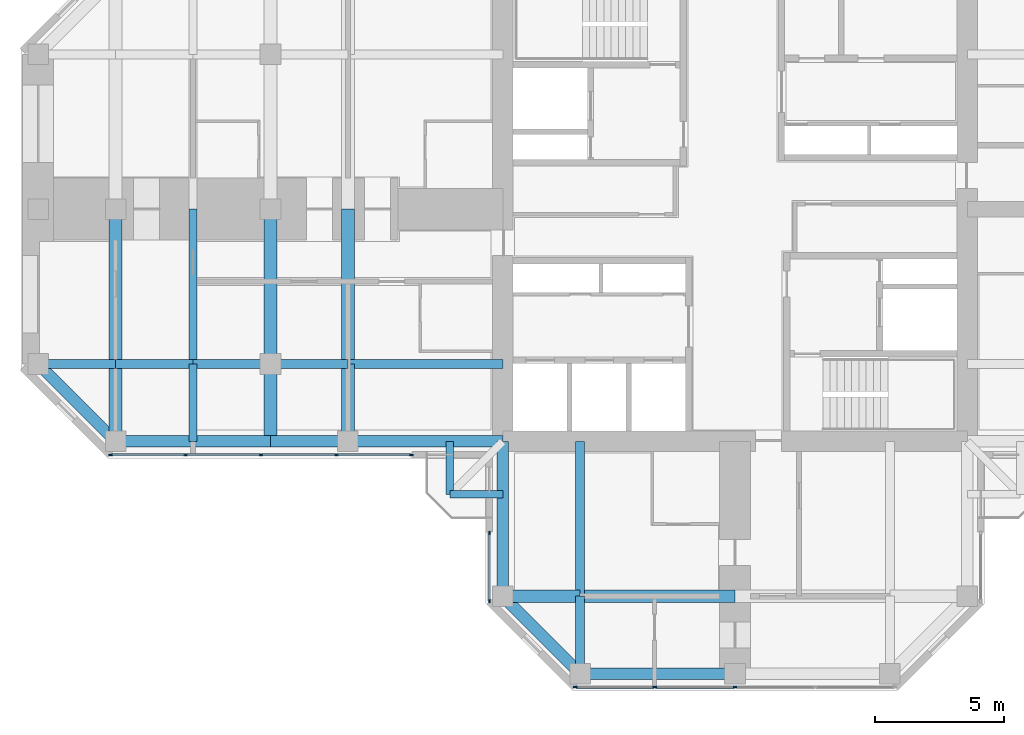
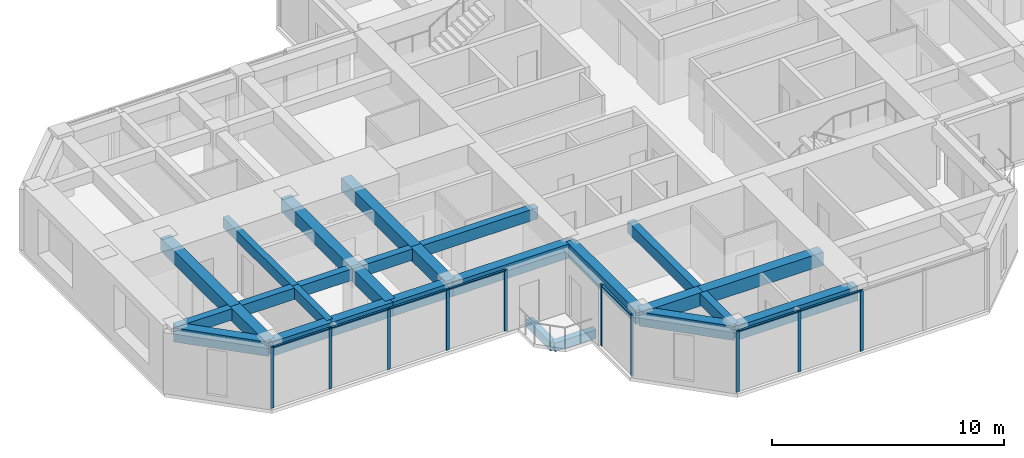
# One storey, part 2 of 13: 27 beams, 17 members, 3 elements without a shape of their own.
"""IFC4 building model written with IfcOpenShell, lengths in metres."""

from ifc_helpers import new_model, si_unit, direction, frame, origin, origin_2d, place, context, subcontext, project, spatial, rectangle, extrude, material, material_profile, profile_set, type_object, element, aggregate, save


model = new_model("IFC4")

# Units and contexts
model_context = context("Model", 3, precision=1e-05, world=origin(), true_north=direction((0.0, 1.0)))
body_context = subcontext(model_context, "Body", "Model", "MODEL_VIEW")
ifc_project = project(units=[si_unit("LENGTHUNIT", "METRE"), si_unit("AREAUNIT", "SQUARE_METRE"), si_unit("VOLUMEUNIT", "CUBIC_METRE"), si_unit("PLANEANGLEUNIT", "RADIAN"), si_unit("MASSUNIT", "GRAM", prefix="KILO")], contexts=[model_context])

# Site, building, storey
site_placement = place(None, origin())
site = spatial("IfcSite", under=ifc_project, at=site_placement, CompositionType="ELEMENT")
building_placement = place(site_placement, origin())
building = spatial("IfcBuilding", under=site, at=building_placement, Name="Torre Cruceta", CompositionType="ELEMENT")
storey_placement = place(building_placement, frame((0.0, 0.0, 242.5)))
storey = spatial("IfcBuildingStorey", under=building, at=storey_placement, Name="L62", CompositionType="ELEMENT", Elevation=242.5)

# Beams
ifc_material_1 = material(Name="Concrete G60 (fck 60 MPa)", Category="concrete")
ifc_material_profile_1 = material_profile(ifc_material_1, rectangle(XDim=0.300048828125, YDim=0.449951171875, at=origin_2d()), Name="RC 300X450")
ifc_profile_set_1 = profile_set([ifc_material_profile_1], Name="Concrete G60 (fck 60 MPa)")
beam_type_1 = type_object("IfcBeamType", Name="BALCONY CANTILEVER BEAM RC 300X450", PredefinedType="BEAM", material=ifc_profile_set_1)
for number, where, z_axis, x_axis, name in (
    (1, (-11.050537109375, -9.0, -0.405029296875), (0.0, -1.0, 0.0), (1.0, 0.0, 0.0), "BB1 balcony edge beam L62 W-X"),
    (2, (-9.0, -11.050537109375, -0.405029296875), (-1.0, 0.0, 0.0), (0.0, -1.0, 0.0), "BB1 balcony edge beam L62 W-Y"),
):
    element("IfcBeam", number, at=place(storey_placement, frame(where, z_axis=z_axis, x_axis=x_axis)), inside=storey, type_object=beam_type_1, Name=name, PredefinedType="BEAM", context=body_context, shape_type="SweptSolid", body=[
        extrude(rectangle(XDim=0.300048828125, YDim=0.449951171875, at=origin_2d()), origin(), (0.0, 0.0, 1.0), 2.050537109375),
    ])
ifc_material_2 = material(Name="Concrete G60 (fck 60 MPa)", Category="concrete")
ifc_material_profile_2 = material_profile(ifc_material_2, rectangle(XDim=0.35009765625, YDim=0.60009765625, at=origin_2d()), Name="RC 350X600")
ifc_profile_set_2 = profile_set([ifc_material_profile_2], Name="Concrete G60 (fck 60 MPa)")
beam_type_2 = type_object("IfcBeamType", Name="COLUMN LINE BEAM RC 350X600", PredefinedType="BEAM", material=ifc_profile_set_2)
beam_1_placement = place(storey_placement, frame((-6.0, -9.0, 2.919921875), z_axis=(0.0, -1.0, 0.0), x_axis=(1.0, 0.0, 0.0)))
element("IfcBeam", 3, at=beam_1_placement, inside=storey, type_object=beam_type_2, Name="LB9 L62 S col- 1", PredefinedType="BEAM", context=body_context, shape_type="SweptSolid", body=[
    extrude(rectangle(XDim=0.35009765625, YDim=0.60009765625, at=origin_2d()), origin(), (0.0, 0.0, 1.0), 6.0),
])
beam_2_placement = place(storey_placement, frame((-6.0, -15.0, 2.919921875), z_axis=(0.0, -1.0, 0.0), x_axis=(1.0, 0.0, 0.0)))
element("IfcBeam", 4, at=beam_2_placement, inside=storey, type_object=beam_type_2, Name="LB9 L62 S col- 2", PredefinedType="BEAM", context=body_context, shape_type="SweptSolid", body=[
    extrude(rectangle(XDim=0.35009765625, YDim=0.60009765625, at=origin_2d()), origin(), (0.0, 0.0, 1.0), 3.0),
])
beam_3_placement = place(storey_placement, frame((-9.0, -6.0, 2.919921875), z_axis=(-1.0, 0.0, 0.0), x_axis=(0.0, -1.0, 0.0)))
element("IfcBeam", 5, at=beam_3_placement, inside=storey, type_object=beam_type_2, Name="LB9 L62 W col+ 1", PredefinedType="BEAM", context=body_context, shape_type="SweptSolid", body=[
    extrude(rectangle(XDim=0.35009765625, YDim=0.60009765625, at=origin_2d()), origin(), (0.0, 0.0, 1.0), 6.0),
])
for number, where, z_axis, x_axis, name in (
    (6, (-15.0, -6.0, 2.919921875), (-1.0, 0.0, 0.0), (0.0, -1.0, 0.0), "LB9 L62 W col+ 2"),
    (7, (-18.0, -6.0, 2.919921875), (-1.0, 0.0, 0.0), (0.0, -1.0, 0.0), "LB9 L62 W col+ 3"),
    (8, (-21.0, -6.0, 2.919921875), (-1.0, 0.0, 0.0), (0.0, -1.0, 0.0), "LB9 L62 W col+ 4"),
    (9, (-24.0, -6.0, 2.919921875), (-1.0, 0.0, 0.0), (0.0, -1.0, 0.0), "LB9 L62 W col+ 5"),
):
    element("IfcBeam", number, at=place(storey_placement, frame(where, z_axis=z_axis, x_axis=x_axis)), inside=storey, type_object=beam_type_2, Name=name, PredefinedType="BEAM", context=body_context, shape_type="SweptSolid", body=[
        extrude(rectangle(XDim=0.35009765625, YDim=0.60009765625, at=origin_2d()), origin(), (0.0, 0.0, 1.0), 3.0),
    ])
ifc_material_3 = material(Name="Concrete G60 (fck 60 MPa)", Category="concrete")
ifc_material_profile_3 = material_profile(ifc_material_3, rectangle(XDim=0.5, YDim=0.699951171875, at=origin_2d()), Name="RC 500X700")
ifc_profile_set_3 = profile_set([ifc_material_profile_3], Name="Concrete G60 (fck 60 MPa)")
beam_type_3 = type_object("IfcBeamType", Name="CROSS BEAM RC 500X700", PredefinedType="BEAM", material=ifc_profile_set_3)
beam_4_placement = place(storey_placement, frame((-9.0, -15.0, 2.8701171875), z_axis=(1.0, 0.0, 0.0), x_axis=(0.0, 1.0, 0.0)))
element("IfcBeam", 10, at=beam_4_placement, inside=storey, type_object=beam_type_3, Name="GB7 L62 S cross15 1", PredefinedType="BEAM", context=body_context, shape_type="SweptSolid", body=[
    extrude(rectangle(XDim=0.5, YDim=0.699951171875, at=origin_2d()), origin(), (0.0, 0.0, 1.0), 3.0),
])
for number, where, z_axis, x_axis, name in (
    (11, (-6.0, -15.0, 2.8701171875), (1.0, 0.0, 0.0), (0.0, 1.0, 0.0), "GB7 L62 S cross15 2"),
    (12, (-15.0, 0.0, 2.8701171875), (0.0, -1.0, 0.0), (1.0, 0.0, 0.0), "GB7 L62 W cross15 3"),
):
    element("IfcBeam", number, at=place(storey_placement, frame(where, z_axis=z_axis, x_axis=x_axis)), inside=storey, type_object=beam_type_3, Name=name, PredefinedType="BEAM", context=body_context, shape_type="SweptSolid", body=[
        extrude(rectangle(XDim=0.5, YDim=0.699951171875, at=origin_2d()), origin(), (0.0, 0.0, 1.0), 6.0),
    ])
beam_5_placement = place(storey_placement, frame((-15.0, -6.0, 2.8701171875), z_axis=(0.0, -1.0, 0.0), x_axis=(1.0, 0.0, 0.0)))
element("IfcBeam", 13, at=beam_5_placement, inside=storey, type_object=beam_type_3, Name="GB7 L62 W cross15 4", PredefinedType="BEAM", context=body_context, shape_type="SweptSolid", body=[
    extrude(rectangle(XDim=0.5, YDim=0.699951171875, at=origin_2d()), origin(), (0.0, 0.0, 1.0), 3.0),
])
beam_6_placement = place(storey_placement, frame((-18.0, 0.0, 2.8701171875), z_axis=(0.0, -1.0, 0.0), x_axis=(1.0, 0.0, 0.0)))
element("IfcBeam", 14, at=beam_6_placement, inside=storey, type_object=beam_type_3, Name="GB7 L62 W cross18 3", PredefinedType="BEAM", context=body_context, shape_type="SweptSolid", body=[
    extrude(rectangle(XDim=0.5, YDim=0.699951171875, at=origin_2d()), origin(), (0.0, 0.0, 1.0), 6.0),
])
beam_7_placement = place(storey_placement, frame((-18.0, -6.0, 2.8701171875), z_axis=(0.0, -1.0, 0.0), x_axis=(1.0, 0.0, 0.0)))
element("IfcBeam", 15, at=beam_7_placement, inside=storey, type_object=beam_type_3, Name="GB7 L62 W cross18 4", PredefinedType="BEAM", context=body_context, shape_type="SweptSolid", body=[
    extrude(rectangle(XDim=0.5, YDim=0.699951171875, at=origin_2d()), origin(), (0.0, 0.0, 1.0), 3.0),
])
beam_8_placement = place(storey_placement, frame((-24.0, 0.0, 2.8701171875), z_axis=(0.0, -1.0, 0.0), x_axis=(1.0, 0.0, 0.0)))
element("IfcBeam", 16, at=beam_8_placement, inside=storey, type_object=beam_type_3, Name="GB7 L62 W cross24 3", PredefinedType="BEAM", context=body_context, shape_type="SweptSolid", body=[
    extrude(rectangle(XDim=0.5, YDim=0.699951171875, at=origin_2d()), origin(), (0.0, 0.0, 1.0), 6.0),
])
beam_9_placement = place(storey_placement, frame((-24.0, -6.0, 2.8701171875), z_axis=(0.0, -1.0, 0.0), x_axis=(1.0, 0.0, 0.0)))
element("IfcBeam", 17, at=beam_9_placement, inside=storey, type_object=beam_type_3, Name="GB7 L62 W cross24 4", PredefinedType="BEAM", context=body_context, shape_type="SweptSolid", body=[
    extrude(rectangle(XDim=0.5, YDim=0.699951171875, at=origin_2d()), origin(), (0.0, 0.0, 1.0), 3.0),
])

# Curtain wall, members
ifc_material_4 = material(Name="Aluminium unitised curtain wall", Category="aluminium")
curtain_wall_type = type_object("IfcCurtainWallType", Name="CURTAIN WALL CW-D CO-LIVING UPPER", PredefinedType="USERDEFINED", material=ifc_material_4)
curtain_wall_1_placement = place(storey_placement, origin())
curtain_wall_1 = element("IfcCurtainWall", 18, at=curtain_wall_1_placement, inside=storey, type_object=curtain_wall_type, Name="CW-D L62 W side 14", ObjectType="UNITISED", PredefinedType="USERDEFINED")
ifc_material_5 = material(Name="Aluminium mullion", Category="aluminium")
ifc_material_profile_4 = material_profile(ifc_material_5, rectangle(XDim=0.06005859375, YDim=0.14990234375, at=origin_2d()), Name="AL 60X150")
ifc_profile_set_4 = profile_set([ifc_material_profile_4], Name="Aluminium mullion")
member_type_1 = type_object("IfcMemberType", Name="CW-D MULLION 60X150", PredefinedType="MULLION", material=ifc_profile_set_4)
member_1_placement = place(storey_placement, frame((-24.185302734375, -9.52001953125, 0.0), z_axis=(0.0, 0.0, 1.0), x_axis=(0.0, 1.0, 0.0)))
member_1 = element("IfcMember", 19, at=member_1_placement, type_object=member_type_1, Name="CW-D mullion 1", PredefinedType="MULLION", context=body_context, shape_type="SweptSolid", body=[
    extrude(rectangle(XDim=0.06005859375, YDim=0.14990234375, at=origin_2d()), origin(), (0.0, 0.0, 1.0), 3.219970703125),
])
member_2_placement = place(storey_placement, frame((-21.29150390625, -9.52001953125, 0.0), z_axis=(0.0, 0.0, 1.0), x_axis=(0.0, 1.0, 0.0)))
member_2 = element("IfcMember", 20, at=member_2_placement, type_object=member_type_1, Name="CW-D mullion 2", PredefinedType="MULLION", context=body_context, shape_type="SweptSolid", body=[
    extrude(rectangle(XDim=0.06005859375, YDim=0.14990234375, at=origin_2d()), origin(), (0.0, 0.0, 1.0), 3.219970703125),
])
member_3_placement = place(storey_placement, frame((-18.36767578125, -9.52001953125, 0.0), z_axis=(0.0, 0.0, 1.0), x_axis=(0.0, 1.0, 0.0)))
member_3 = element("IfcMember", 21, at=member_3_placement, type_object=member_type_1, Name="CW-D mullion 3", PredefinedType="MULLION", context=body_context, shape_type="SweptSolid", body=[
    extrude(rectangle(XDim=0.06005859375, YDim=0.14990234375, at=origin_2d()), origin(), (0.0, 0.0, 1.0), 3.219970703125),
])
member_4_placement = place(storey_placement, frame((-15.44384765625, -9.52001953125, 0.0), z_axis=(0.0, 0.0, 1.0), x_axis=(0.0, 1.0, 0.0)))
member_4 = element("IfcMember", 22, at=member_4_placement, type_object=member_type_1, Name="CW-D mullion 4", PredefinedType="MULLION", context=body_context, shape_type="SweptSolid", body=[
    extrude(rectangle(XDim=0.06005859375, YDim=0.14990234375, at=origin_2d()), origin(), (0.0, 0.0, 1.0), 3.219970703125),
])
member_5_placement = place(storey_placement, frame((-12.550048828125, -9.52001953125, 0.0), z_axis=(0.0, 0.0, 1.0), x_axis=(0.0, 1.0, 0.0)))
member_5 = element("IfcMember", 23, at=member_5_placement, type_object=member_type_1, Name="CW-D mullion 5", PredefinedType="MULLION", context=body_context, shape_type="SweptSolid", body=[
    extrude(rectangle(XDim=0.06005859375, YDim=0.14990234375, at=origin_2d()), origin(), (0.0, 0.0, 1.0), 3.219970703125),
])

curtain_wall_2_placement = place(storey_placement, origin())
curtain_wall_2 = element("IfcCurtainWall", 24, at=curtain_wall_2_placement, inside=storey, type_object=curtain_wall_type, Name="CW-D L62 S side 15", ObjectType="UNITISED", PredefinedType="USERDEFINED")
member_6_placement = place(storey_placement, frame((-9.52001953125, -12.550048828125, 0.0), z_axis=(0.0, 0.0, 1.0), x_axis=(1.0, 0.0, 0.0)))
member_6 = element("IfcMember", 25, at=member_6_placement, type_object=member_type_1, Name="CW-D mullion 1", PredefinedType="MULLION", context=body_context, shape_type="SweptSolid", body=[
    extrude(rectangle(XDim=0.06005859375, YDim=0.14990234375, at=origin_2d()), origin(), (0.0, 0.0, 1.0), 3.219970703125),
])
member_7_placement = place(storey_placement, frame((-9.52001953125, -15.185302734375, 0.0), z_axis=(0.0, 0.0, 1.0), x_axis=(1.0, 0.0, 0.0)))
member_7 = element("IfcMember", 26, at=member_7_placement, type_object=member_type_1, Name="CW-D mullion 2", PredefinedType="MULLION", context=body_context, shape_type="SweptSolid", body=[
    extrude(rectangle(XDim=0.06005859375, YDim=0.14990234375, at=origin_2d()), origin(), (0.0, 0.0, 1.0), 3.219970703125),
])

curtain_wall_3_placement = place(storey_placement, origin())
curtain_wall_3 = element("IfcCurtainWall", 27, at=curtain_wall_3_placement, inside=storey, type_object=curtain_wall_type, Name="CW-D L62 S tip 17", ObjectType="UNITISED", PredefinedType="USERDEFINED")
member_8_placement = place(storey_placement, frame((-6.185302734375, -18.52001953125, 0.0), z_axis=(0.0, 0.0, 1.0), x_axis=(0.0, 1.0, 0.0)))
member_8 = element("IfcMember", 28, at=member_8_placement, type_object=member_type_1, Name="CW-D mullion 1", PredefinedType="MULLION", context=body_context, shape_type="SweptSolid", body=[
    extrude(rectangle(XDim=0.06005859375, YDim=0.14990234375, at=origin_2d()), origin(), (0.0, 0.0, 1.0), 3.219970703125),
])
member_9_placement = place(storey_placement, frame((-3.107666015625, -18.52001953125, 0.0), z_axis=(0.0, 0.0, 1.0), x_axis=(0.0, 1.0, 0.0)))
member_9 = element("IfcMember", 29, at=member_9_placement, type_object=member_type_1, Name="CW-D mullion 2", PredefinedType="MULLION", context=body_context, shape_type="SweptSolid", body=[
    extrude(rectangle(XDim=0.06005859375, YDim=0.14990234375, at=origin_2d()), origin(), (0.0, 0.0, 1.0), 3.219970703125),
])
member_10_placement = place(storey_placement, frame((0.0, -18.52001953125, 0.0), z_axis=(0.0, 0.0, 1.0), x_axis=(0.0, 1.0, 0.0)))
member_10 = element("IfcMember", 30, at=member_10_placement, type_object=member_type_1, Name="CW-D mullion 3", PredefinedType="MULLION", context=body_context, shape_type="SweptSolid", body=[
    extrude(rectangle(XDim=0.06005859375, YDim=0.14990234375, at=origin_2d()), origin(), (0.0, 0.0, 1.0), 3.219970703125),
])

# Member
ifc_material_6 = material(Name="Aluminium transom", Category="aluminium")
ifc_material_profile_5 = material_profile(ifc_material_6, rectangle(XDim=0.10009765625, YDim=0.06005859375, at=origin_2d()), Name="AL 100X60")
ifc_profile_set_5 = profile_set([ifc_material_profile_5], Name="Aluminium transom")
member_type_2 = type_object("IfcMemberType", Name="CW-D TRANSOM 60X100", PredefinedType="USERDEFINED", material=ifc_profile_set_5)
member_11_placement = place(storey_placement, frame((-24.1552734375, -9.52001953125, 3.18994140625), z_axis=(1.0, 0.0, 0.0), x_axis=(0.0, 1.0, 0.0)))
member_11 = element("IfcMember", 31, at=member_11_placement, type_object=member_type_2, Name="CW-D transom 1", ObjectType="TRANSOM", PredefinedType="USERDEFINED", context=body_context, shape_type="SweptSolid", body=[
    extrude(rectangle(XDim=0.10009765625, YDim=0.06005859375, at=origin_2d()), origin(), (0.0, 0.0, 1.0), 2.833740234375),
])

member_12_placement = place(storey_placement, frame((-21.261474609375, -9.52001953125, 3.18994140625), z_axis=(1.0, 0.0, 0.0), x_axis=(0.0, 1.0, 0.0)))
member_12 = element("IfcMember", 32, at=member_12_placement, type_object=member_type_2, Name="CW-D transom 2", ObjectType="TRANSOM", PredefinedType="USERDEFINED", context=body_context, shape_type="SweptSolid", body=[
    extrude(rectangle(XDim=0.10009765625, YDim=0.06005859375, at=origin_2d()), origin(), (0.0, 0.0, 1.0), 2.86376953125),
])

member_13_placement = place(storey_placement, frame((-18.337646484375, -9.52001953125, 3.18994140625), z_axis=(1.0, 0.0, 0.0), x_axis=(0.0, 1.0, 0.0)))
member_13 = element("IfcMember", 33, at=member_13_placement, type_object=member_type_2, Name="CW-D transom 3", ObjectType="TRANSOM", PredefinedType="USERDEFINED", context=body_context, shape_type="SweptSolid", body=[
    extrude(rectangle(XDim=0.10009765625, YDim=0.06005859375, at=origin_2d()), origin(), (0.0, 0.0, 1.0), 2.86376953125),
])

member_14_placement = place(storey_placement, frame((-15.413818359375, -9.52001953125, 3.18994140625), z_axis=(1.0, 0.0, 0.0), x_axis=(0.0, 1.0, 0.0)))
member_14 = element("IfcMember", 34, at=member_14_placement, type_object=member_type_2, Name="CW-D transom 4", ObjectType="TRANSOM", PredefinedType="USERDEFINED", context=body_context, shape_type="SweptSolid", body=[
    extrude(rectangle(XDim=0.10009765625, YDim=0.06005859375, at=origin_2d()), origin(), (0.0, 0.0, 1.0), 2.833740234375),
])

aggregate(curtain_wall_1, [member_1, member_2, member_3, member_4, member_5, member_11, member_12, member_13, member_14])

member_15_placement = place(storey_placement, frame((-9.52001953125, -12.580078125, 3.18994140625), z_axis=(0.0, -1.0, 0.0), x_axis=(1.0, 0.0, 0.0)))
member_15 = element("IfcMember", 35, at=member_15_placement, type_object=member_type_2, Name="CW-D transom 1", ObjectType="TRANSOM", PredefinedType="USERDEFINED", context=body_context, shape_type="SweptSolid", body=[
    extrude(rectangle(XDim=0.10009765625, YDim=0.06005859375, at=origin_2d()), origin(), (0.0, 0.0, 1.0), 2.5751953125),
])

aggregate(curtain_wall_2, [member_6, member_7, member_15])

member_16_placement = place(storey_placement, frame((-6.1552734375, -18.52001953125, 3.18994140625), z_axis=(1.0, 0.0, 0.0), x_axis=(0.0, 1.0, 0.0)))
member_16 = element("IfcMember", 36, at=member_16_placement, type_object=member_type_2, Name="CW-D transom 1", ObjectType="TRANSOM", PredefinedType="USERDEFINED", context=body_context, shape_type="SweptSolid", body=[
    extrude(rectangle(XDim=0.10009765625, YDim=0.06005859375, at=origin_2d()), origin(), (0.0, 0.0, 1.0), 3.017578125),
])

member_17_placement = place(storey_placement, frame((-3.07763671875, -18.52001953125, 3.18994140625), z_axis=(1.0, 0.0, 0.0), x_axis=(0.0, 1.0, 0.0)))
member_17 = element("IfcMember", 37, at=member_17_placement, type_object=member_type_2, Name="CW-D transom 2", ObjectType="TRANSOM", PredefinedType="USERDEFINED", context=body_context, shape_type="SweptSolid", body=[
    extrude(rectangle(XDim=0.10009765625, YDim=0.06005859375, at=origin_2d()), origin(), (0.0, 0.0, 1.0), 3.047607421875),
])

aggregate(curtain_wall_3, [member_8, member_9, member_10, member_16, member_17])

# Beams
ifc_material_7 = material(Name="Concrete G60 (fck 60 MPa)", Category="concrete")
ifc_material_profile_6 = material_profile(ifc_material_7, rectangle(XDim=0.300048828125, YDim=0.550048828125, at=origin_2d()), Name="RC 300X550")
ifc_profile_set_6 = profile_set([ifc_material_profile_6], Name="Concrete G60 (fck 60 MPa)")
beam_type_4 = type_object("IfcBeamType", Name="SECONDARY BEAM RC 300X550", PredefinedType="JOIST", material=ifc_profile_set_6)
beam_10_placement = place(storey_placement, frame((-21.0, 0.0, 2.945068359375), z_axis=(0.0, -1.0, 0.0), x_axis=(1.0, 0.0, 0.0)))
element("IfcBeam", 38, at=beam_10_placement, inside=storey, type_object=beam_type_4, Name="JB7 L62 W sec21 3", PredefinedType="JOIST", context=body_context, shape_type="SweptSolid", body=[
    extrude(rectangle(XDim=0.300048828125, YDim=0.550048828125, at=origin_2d()), origin(), (0.0, 0.0, 1.0), 6.0),
])
beam_11_placement = place(storey_placement, frame((-21.0, -6.0, 2.945068359375), z_axis=(0.0, -1.0, 0.0), x_axis=(1.0, 0.0, 0.0)))
element("IfcBeam", 39, at=beam_11_placement, inside=storey, type_object=beam_type_4, Name="JB7 L62 W sec21 4", PredefinedType="JOIST", context=body_context, shape_type="SweptSolid", body=[
    extrude(rectangle(XDim=0.300048828125, YDim=0.550048828125, at=origin_2d()), origin(), (0.0, 0.0, 1.0), 3.0),
])
ifc_material_8 = material(Name="Concrete G60 (fck 60 MPa)", Category="concrete")
ifc_material_profile_7 = material_profile(ifc_material_8, rectangle(XDim=0.449951171875, YDim=0.75, at=origin_2d()), Name="RC 450X750")
ifc_profile_set_7 = profile_set([ifc_material_profile_7], Name="Concrete G60 (fck 60 MPa)")
beam_type_5 = type_object("IfcBeamType", Name="SPANDREL BEAM RC 450X750", PredefinedType="SPANDREL", material=ifc_profile_set_7)
beam_12_placement = place(storey_placement, frame((-9.0, -9.0, 2.844970703125), z_axis=(0.0, -1.0, 0.0), x_axis=(1.0, 0.0, 0.0)))
element("IfcBeam", 40, at=beam_12_placement, inside=storey, type_object=beam_type_5, Name="SB7 L62 S side- 1", PredefinedType="SPANDREL", context=body_context, shape_type="SweptSolid", body=[
    extrude(rectangle(XDim=0.449951171875, YDim=0.75, at=origin_2d()), origin(), (0.0, 0.0, 1.0), 6.0),
])
beam_13_placement = place(storey_placement, frame((-9.0, -15.0, 2.844970703125), z_axis=(0.707106781187, -0.707106781187, 0.0), x_axis=(0.707106781187, 0.707106781187, 0.0)))
element("IfcBeam", 41, at=beam_13_placement, inside=storey, type_object=beam_type_5, Name="SB7 L62 S side- 2", PredefinedType="SPANDREL", context=body_context, shape_type="SweptSolid", body=[
    extrude(rectangle(XDim=0.449951171875, YDim=0.75, at=origin_2d()), origin(), (0.0, 0.0, 1.0), 4.24267578125),
])
for number, where, z_axis, x_axis, name in (
    (42, (-6.0, -18.0, 2.844970703125), (1.0, 0.0, 0.0), (0.0, 1.0, 0.0), "SB7 L62 S tip 1"),
    (43, (-9.0, -9.0, 2.844970703125), (-1.0, 0.0, 0.0), (0.0, -1.0, 0.0), "SB7 L62 W side+ 1"),
):
    element("IfcBeam", number, at=place(storey_placement, frame(where, z_axis=z_axis, x_axis=x_axis)), inside=storey, type_object=beam_type_5, Name=name, PredefinedType="SPANDREL", context=body_context, shape_type="SweptSolid", body=[
        extrude(rectangle(XDim=0.449951171875, YDim=0.75, at=origin_2d()), origin(), (0.0, 0.0, 1.0), 6.0),
    ])
for number, where, z_axis, x_axis, name in (
    (44, (-15.0, -9.0, 2.844970703125), (-1.0, 0.0, 0.0), (0.0, -1.0, 0.0), "SB7 L62 W side+ 2"),
    (45, (-18.0, -9.0, 2.844970703125), (-1.0, 0.0, 0.0), (0.0, -1.0, 0.0), "SB7 L62 W side+ 3"),
    (46, (-21.0, -9.0, 2.844970703125), (-1.0, 0.0, 0.0), (0.0, -1.0, 0.0), "SB7 L62 W side+ 4"),
):
    element("IfcBeam", number, at=place(storey_placement, frame(where, z_axis=z_axis, x_axis=x_axis)), inside=storey, type_object=beam_type_5, Name=name, PredefinedType="SPANDREL", context=body_context, shape_type="SweptSolid", body=[
        extrude(rectangle(XDim=0.449951171875, YDim=0.75, at=origin_2d()), origin(), (0.0, 0.0, 1.0), 3.0),
    ])
beam_14_placement = place(storey_placement, frame((-24.0, -9.0, 2.844970703125), z_axis=(-0.707106781187, 0.707106781187, 0.0), x_axis=(-0.707106781187, -0.707106781187, 0.0)))
element("IfcBeam", 47, at=beam_14_placement, inside=storey, type_object=beam_type_5, Name="SB7 L62 W side+ 5", PredefinedType="SPANDREL", context=body_context, shape_type="SweptSolid", body=[
    extrude(rectangle(XDim=0.449951171875, YDim=0.75, at=origin_2d()), origin(), (0.0, 0.0, 1.0), 4.24267578125),
])

save(model, "model.ifc")
